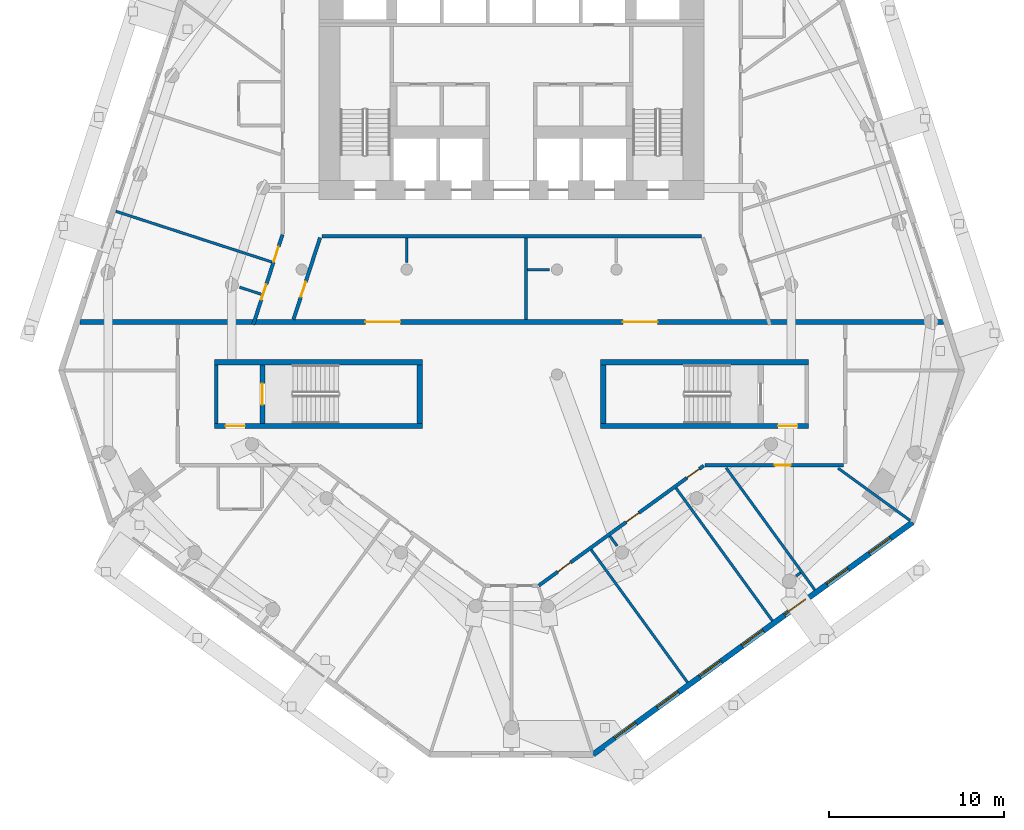
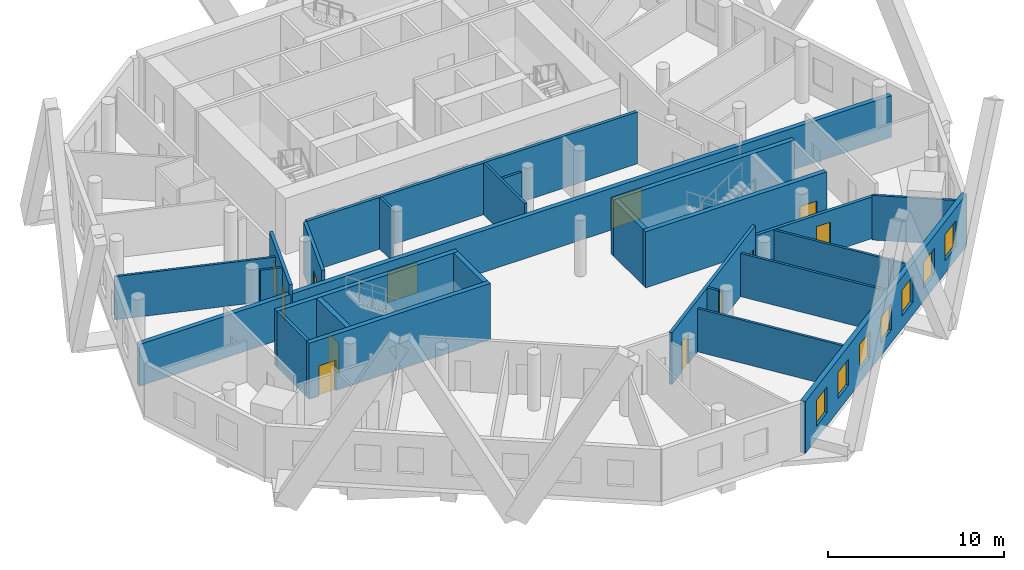
# One storey, part 5 of 11: 26 walls, 12 doors, 7 windows, 19 openings.
"""IFC4 building model written with IfcOpenShell, lengths in metres."""

from ifc_helpers import new_model, si_unit, direction, frame, frame_2d, origin, place, context, subcontext, project, spatial, rectangle, extrude, material, layer, layer_set, type_object, element, fill, save


model = new_model("IFC4")

# Units and contexts
model_context = context("Model", 3, precision=1e-05, world=origin(), true_north=direction((0.0, 1.0)))
body_context = subcontext(model_context, "Body", "Model", "MODEL_VIEW")
ifc_project = project(units=[si_unit("LENGTHUNIT", "METRE"), si_unit("AREAUNIT", "SQUARE_METRE"), si_unit("VOLUMEUNIT", "CUBIC_METRE"), si_unit("PLANEANGLEUNIT", "RADIAN"), si_unit("MASSUNIT", "GRAM", prefix="KILO")], contexts=[model_context])

# Site, building, storey
site_placement = place(None, origin())
site = spatial("IfcSite", under=ifc_project, at=site_placement, CompositionType="ELEMENT")
building_placement = place(site_placement, origin())
building = spatial("IfcBuilding", under=site, at=building_placement, Name="White Candle Pilgrim Tower", CompositionType="ELEMENT")
storey_placement = place(building_placement, frame((0.0, 0.0, 90.800048828125)))
storey = spatial("IfcBuildingStorey", under=building, at=storey_placement, Name="L19", CompositionType="ELEMENT", Elevation=90.800048828125)

# Wall
ifc_material_1 = material(Name="Concrete C60/75", Category="concrete")
ifc_layer_1 = layer(ifc_material_1, 0.199951171875)
ifc_layer_set_1 = layer_set([ifc_layer_1], Name="Core wall 200 mm Concrete C60/75")
wall_type_1 = type_object("IfcWallType", Name="Core wall 200 mm Concrete C60/75", PredefinedType="SHEAR", material=ifc_layer_set_1)
wall_1_placement = place(storey_placement, frame((53.10009765625, 58.199951171875, 0.0), z_axis=(0.0, 0.0, 1.0), x_axis=(0.0, 1.0, 0.0)))
element("IfcWall", 1, at=wall_1_placement, inside=storey, type_object=wall_type_1, Name="WL-L19-C03", PredefinedType="SHEAR", context=body_context, shape_type="SweptSolid", body=[
    extrude(rectangle(XDim=3.35009765625, YDim=0.199951171875, at=frame_2d((1.675048828125, 0.0))), origin(), (0.0, 0.0, 1.0), 3.89990234375),
])

# Wall, openings, doors
ifc_material_2 = material(Name="Gypsum board on steel studs", Category="steel")
ifc_layer_2 = layer(ifc_material_2, 0.199951171875)
ifc_layer_set_2 = layer_set([ifc_layer_2], Name="Corridor wall 200 mm EI 45")
wall_type_2 = type_object("IfcWallType", Name="Corridor wall 200 mm EI 45", PredefinedType="PARTITIONING", material=ifc_layer_set_2)
wall_2_placement = place(storey_placement, frame((55.224609375, 63.85009765625, 0.0), z_axis=(0.0, 0.0, 1.0), x_axis=(0.309037048815, 0.951049999979, 0.0)))
wall_2 = element("IfcWall", 2, at=wall_2_placement, inside=storey, type_object=wall_type_2, Name="WL-L19-P002", PredefinedType="PARTITIONING", context=body_context, shape_type="SweptSolid", body=[
    extrude(rectangle(XDim=5.4052734375, YDim=0.199951171875, at=frame_2d((2.70263671875, 0.0))), origin(), (0.0, 0.0, 1.0), 3.599853515625),
])
opening_1_placement = place(wall_2_placement, frame((1.508544921875, 0.0, 0.0)))
opening_1 = element("IfcOpeningElement", 3, at=opening_1_placement, cuts=wall_2, Name="Opening T06-119", PredefinedType="OPENING", context=body_context, shape_type="SweptSolid", body=[
    extrude(rectangle(XDim=0.89990234375, YDim=2.10009765625, at=frame_2d((0.449951171875, 1.050048828125))), frame((0.0, 0.10986328125, 0.0), z_axis=(0.0, -1.0, 0.0), x_axis=(1.0, 0.0, 0.0)), (0.0, 0.0, 1.0), 0.219970703125),
])
opening_2_placement = place(wall_2_placement, frame((3.78369140625, 0.0, 0.0)))
opening_2 = element("IfcOpeningElement", 4, at=opening_2_placement, cuts=wall_2, Name="Opening T06-120", PredefinedType="OPENING", context=body_context, shape_type="SweptSolid", body=[
    extrude(rectangle(XDim=0.89990234375, YDim=2.10009765625, at=frame_2d((0.449951171875, 1.050048828125))), frame((0.0, 0.10986328125, 0.0), z_axis=(0.0, -1.0, 0.0), x_axis=(1.0, 0.0, 0.0)), (0.0, 0.0, 1.0), 0.219970703125),
])
ifc_material_3 = material(Name="Steel door leaf", Category="steel")
door_type_1 = type_object("IfcDoorType", Name="Fire door 900 x 2100 EI 30", OperationType="NOTDEFINED", PredefinedType="DOOR", material=ifc_material_3)
door_1_placement = place(opening_1_placement, origin())
door_1 = element("IfcDoor", 5, at=door_1_placement, inside=storey, type_object=door_type_1, Name="Door T06-119", OperationType="SINGLE_SWING_LEFT", OverallHeight=2.10009765625, OverallWidth=0.89990234375, PredefinedType="DOOR", context=body_context, shape_type="SweptSolid", body=[
    extrude(rectangle(XDim=0.89990234375, YDim=2.10009765625, at=frame_2d((0.449951171875, 1.050048828125))), frame((0.0, 0.02490234375, 0.0), z_axis=(0.0, -1.0, 0.0), x_axis=(1.0, 0.0, 0.0)), (0.0, 0.0, 1.0), 0.050048828125),
])
fill(opening_1, door_1)
door_2_placement = place(opening_2_placement, frame((0.89990234375, 0.0, 0.0), z_axis=(0.0, 0.0, 1.0), x_axis=(-1.0, 0.0, 0.0)))
door_2 = element("IfcDoor", 6, at=door_2_placement, inside=storey, type_object=door_type_1, Name="Door T06-120", OperationType="SINGLE_SWING_LEFT", OverallHeight=2.10009765625, OverallWidth=0.89990234375, PredefinedType="DOOR", context=body_context, shape_type="SweptSolid", body=[
    extrude(rectangle(XDim=0.89990234375, YDim=2.10009765625, at=frame_2d((0.449951171875, 1.050048828125))), frame((0.0, 0.02490234375, 0.0), z_axis=(0.0, -1.0, 0.0), x_axis=(1.0, 0.0, 0.0)), (0.0, 0.0, 1.0), 0.050048828125),
])
fill(opening_2, door_2)

# Wall, opening, door
wall_3_placement = place(storey_placement, frame((89.0, 55.800048828125, 0.0), z_axis=(0.0, 0.0, 1.0), x_axis=(-1.0, 0.0, 0.0)))
wall_3 = element("IfcWall", 7, at=wall_3_placement, inside=storey, type_object=wall_type_2, Name="WL-L19-P007", PredefinedType="PARTITIONING", context=body_context, shape_type="SweptSolid", body=[
    extrude(rectangle(XDim=7.946044921875, YDim=0.199951171875, at=frame_2d((3.97314453125, 0.0))), origin(), (0.0, 0.0, 1.0), 2.89990234375),
])
opening_3_placement = place(wall_3_placement, frame((3.034423828125, 0.0, 0.0)))
opening_3 = element("IfcOpeningElement", 8, at=opening_3_placement, cuts=wall_3, Name="Opening T06-113", PredefinedType="OPENING", context=body_context, shape_type="SweptSolid", body=[
    extrude(rectangle(XDim=0.89990234375, YDim=2.10009765625, at=frame_2d((0.449951171875, 1.050048828125))), frame((0.0, 0.10986328125, 0.0), z_axis=(0.0, -1.0, 0.0), x_axis=(1.0, 0.0, 0.0)), (0.0, 0.0, 1.0), 0.219970703125),
])
door_3_placement = place(opening_3_placement, origin())
door_3 = element("IfcDoor", 9, at=door_3_placement, inside=storey, type_object=door_type_1, Name="Door T06-113", OperationType="SINGLE_SWING_LEFT", OverallHeight=2.10009765625, OverallWidth=0.89990234375, PredefinedType="DOOR", context=body_context, shape_type="SweptSolid", body=[
    extrude(rectangle(XDim=0.89990234375, YDim=2.10009765625, at=frame_2d((0.449951171875, 1.050048828125))), frame((0.0, 0.02490234375, 0.0), z_axis=(0.0, -1.0, 0.0), x_axis=(1.0, 0.0, 0.0)), (0.0, 0.0, 1.0), 0.050048828125),
])
fill(opening_3, door_3)

# Wall, openings, doors
wall_4_placement = place(storey_placement, frame((80.9951171875, 55.781005859375, 0.0), z_axis=(0.0, 0.0, 1.0), x_axis=(-0.809008378027, -0.587797111495, 0.0)))
wall_4 = element("IfcWall", 10, at=wall_4_placement, inside=storey, type_object=wall_type_2, Name="WL-L19-P008", PredefinedType="PARTITIONING", context=body_context, shape_type="SweptSolid", body=[
    extrude(rectangle(XDim=11.666748046875, YDim=0.199951171875, at=frame_2d((5.83349609375, 0.0))), origin(), (0.0, 0.0, 1.0), 3.599853515625),
])
opening_4_placement = place(wall_4_placement, frame((9.41748046875, 0.0, 0.0)))
opening_4 = element("IfcOpeningElement", 11, at=opening_4_placement, cuts=wall_4, Name="Opening T06-110", PredefinedType="OPENING", context=body_context, shape_type="SweptSolid", body=[
    extrude(rectangle(XDim=0.89990234375, YDim=2.10009765625, at=frame_2d((0.449951171875, 1.050048828125))), frame((0.0, 0.10986328125, 0.0), z_axis=(0.0, -1.0, 0.0), x_axis=(1.0, 0.0, 0.0)), (0.0, 0.0, 1.0), 0.219970703125),
])
opening_5_placement = place(wall_4_placement, frame((4.58544921875, 0.0, 0.0)))
opening_5 = element("IfcOpeningElement", 12, at=opening_5_placement, cuts=wall_4, Name="Opening T06-111", PredefinedType="OPENING", context=body_context, shape_type="SweptSolid", body=[
    extrude(rectangle(XDim=0.89990234375, YDim=2.10009765625, at=frame_2d((0.449951171875, 1.050048828125))), frame((0.0, 0.10986328125, 0.0), z_axis=(0.0, -1.0, 0.0), x_axis=(1.0, 0.0, 0.0)), (0.0, 0.0, 1.0), 0.219970703125),
])
opening_6_placement = place(wall_4_placement, frame((0.301513671875, 0.0, 0.0)))
opening_6 = element("IfcOpeningElement", 13, at=opening_6_placement, cuts=wall_4, Name="Opening T06-112", PredefinedType="OPENING", context=body_context, shape_type="SweptSolid", body=[
    extrude(rectangle(XDim=0.89990234375, YDim=2.10009765625, at=frame_2d((0.449951171875, 1.050048828125))), frame((0.0, 0.10986328125, 0.0), z_axis=(0.0, -1.0, 0.0), x_axis=(1.0, 0.0, 0.0)), (0.0, 0.0, 1.0), 0.219970703125),
])
door_4_placement = place(opening_4_placement, origin())
door_4 = element("IfcDoor", 14, at=door_4_placement, inside=storey, type_object=door_type_1, Name="Door T06-110", OperationType="SINGLE_SWING_RIGHT", OverallHeight=2.10009765625, OverallWidth=0.89990234375, PredefinedType="DOOR", context=body_context, shape_type="SweptSolid", body=[
    extrude(rectangle(XDim=0.89990234375, YDim=2.10009765625, at=frame_2d((0.449951171875, 1.050048828125))), frame((0.0, 0.02490234375, 0.0), z_axis=(0.0, -1.0, 0.0), x_axis=(1.0, 0.0, 0.0)), (0.0, 0.0, 1.0), 0.050048828125),
])
fill(opening_4, door_4)
door_5_placement = place(opening_5_placement, origin())
door_5 = element("IfcDoor", 15, at=door_5_placement, inside=storey, type_object=door_type_1, Name="Door T06-111", OperationType="SINGLE_SWING_LEFT", OverallHeight=2.10009765625, OverallWidth=0.89990234375, PredefinedType="DOOR", context=body_context, shape_type="SweptSolid", body=[
    extrude(rectangle(XDim=0.89990234375, YDim=2.10009765625, at=frame_2d((0.449951171875, 1.050048828125))), frame((0.0, 0.02490234375, 0.0), z_axis=(0.0, -1.0, 0.0), x_axis=(1.0, 0.0, 0.0)), (0.0, 0.0, 1.0), 0.050048828125),
])
fill(opening_5, door_5)
door_6_placement = place(opening_6_placement, origin())
door_6 = element("IfcDoor", 16, at=door_6_placement, inside=storey, type_object=door_type_1, Name="Door T06-112", OperationType="SINGLE_SWING_LEFT", OverallHeight=2.10009765625, OverallWidth=0.89990234375, PredefinedType="DOOR", context=body_context, shape_type="SweptSolid", body=[
    extrude(rectangle(XDim=0.89990234375, YDim=2.10009765625, at=frame_2d((0.449951171875, 1.050048828125))), frame((0.0, 0.02490234375, 0.0), z_axis=(0.0, -1.0, 0.0), x_axis=(1.0, 0.0, 0.0)), (0.0, 0.0, 1.0), 0.050048828125),
])
fill(opening_6, door_6)

# Wall
wall_5_placement = place(storey_placement, frame((80.853759765625, 68.89990234375, 0.0), z_axis=(0.0, 0.0, 1.0), x_axis=(-1.0, 0.0, 0.0)))
element("IfcWall", 17, at=wall_5_placement, inside=storey, type_object=wall_type_2, Name="WL-L19-P013", PredefinedType="PARTITIONING", context=body_context, shape_type="SweptSolid", body=[
    extrude(rectangle(XDim=21.70751953125, YDim=0.199951171875, at=frame_2d((10.853759765625, 0.0))), origin(), (0.0, 0.0, 1.0), 3.599853515625),
])

# Wall, opening, door
wall_6_placement = place(storey_placement, frame((59.05126953125, 68.830810546875, 0.0), z_axis=(0.0, 0.0, 1.0), x_axis=(-0.309031112369, -0.951051928965, 0.0)))
wall_6 = element("IfcWall", 18, at=wall_6_placement, inside=storey, type_object=wall_type_2, Name="WL-L19-P014", PredefinedType="PARTITIONING", context=body_context, shape_type="SweptSolid", body=[
    extrude(rectangle(XDim=4.921875, YDim=0.199951171875, at=frame_2d((2.4609375, 0.0))), origin(), (0.0, 0.0, 1.0), 3.599853515625),
])
opening_7_placement = place(wall_6_placement, frame((2.665283203125, 0.0, 0.0)))
opening_7 = element("IfcOpeningElement", 19, at=opening_7_placement, cuts=wall_6, Name="Opening T06-129", PredefinedType="OPENING", context=body_context, shape_type="SweptSolid", body=[
    extrude(rectangle(XDim=0.89990234375, YDim=2.10009765625, at=frame_2d((0.449951171875, 1.050048828125))), frame((0.0, 0.10986328125, 0.0), z_axis=(0.0, -1.0, 0.0), x_axis=(1.0, 0.0, 0.0)), (0.0, 0.0, 1.0), 0.219970703125),
])
door_7_placement = place(opening_7_placement, origin())
door_7 = element("IfcDoor", 20, at=door_7_placement, inside=storey, type_object=door_type_1, Name="Door T06-129", OperationType="SINGLE_SWING_LEFT", OverallHeight=2.10009765625, OverallWidth=0.89990234375, PredefinedType="DOOR", context=body_context, shape_type="SweptSolid", body=[
    extrude(rectangle(XDim=0.89990234375, YDim=2.10009765625, at=frame_2d((0.449951171875, 1.050048828125))), frame((0.0, 0.02490234375, 0.0), z_axis=(0.0, -1.0, 0.0), x_axis=(1.0, 0.0, 0.0)), (0.0, 0.0, 1.0), 0.050048828125),
])
fill(opening_7, door_7)

# Wall, openings, windows
ifc_material_4 = material(Name="Precast concrete C40/50", Category="concrete")
ifc_layer_3 = layer(ifc_material_4, 0.320068359375)
ifc_layer_set_3 = layer_set([ifc_layer_3], Name="Facade wall EW1 precast concrete C40/50 pier wall with timber-lined reveals")
wall_type_3 = type_object("IfcWallType", Name="Facade wall EW1 precast concrete C40/50 pier wall with timber-lined reveals", PredefinedType="SOLIDWALL", material=ifc_layer_set_3)
wall_7_placement = place(storey_placement, frame((74.66259765625, 39.26416015625, 0.0), z_axis=(0.0, 0.0, 1.0), x_axis=(0.809012643171, 0.587791241165, 0.0)))
wall_7 = element("IfcWall", 21, at=wall_7_placement, inside=storey, type_object=wall_type_3, Name="Facade wall L19 SE", PredefinedType="SOLIDWALL", context=body_context, shape_type="SweptSolid", body=[
    extrude(rectangle(XDim=22.591796875, YDim=0.320068359375, at=frame_2d((11.2958984375, 0.0))), origin(), (0.0, 0.0, 1.0), 3.599853515625),
])
opening_8_placement = place(wall_7_placement, frame((1.5458984375, 0.0, 0.89990234375)))
opening_8 = element("IfcOpeningElement", 22, at=opening_8_placement, cuts=wall_7, Name="Opening W1", PredefinedType="OPENING", context=body_context, shape_type="SweptSolid", body=[
    extrude(rectangle(XDim=1.5, YDim=1.800048828125, at=frame_2d((0.75, 0.89990234375))), frame((0.0, 0.169921875, 0.0), z_axis=(0.0, -1.0, 0.0), x_axis=(1.0, 0.0, 0.0)), (0.0, 0.0, 1.0), 0.340087890625),
])
opening_9_placement = place(wall_7_placement, frame((4.5458984375, 0.0, 0.89990234375)))
opening_9 = element("IfcOpeningElement", 23, at=opening_9_placement, cuts=wall_7, Name="Opening W1", PredefinedType="OPENING", context=body_context, shape_type="SweptSolid", body=[
    extrude(rectangle(XDim=1.5, YDim=1.800048828125, at=frame_2d((0.75, 0.89990234375))), frame((0.0, 0.169921875, 0.0), z_axis=(0.0, -1.0, 0.0), x_axis=(1.0, 0.0, 0.0)), (0.0, 0.0, 1.0), 0.340087890625),
])
opening_10_placement = place(wall_7_placement, frame((7.5458984375, 0.0, 0.89990234375)))
opening_10 = element("IfcOpeningElement", 24, at=opening_10_placement, cuts=wall_7, Name="Opening W1", PredefinedType="OPENING", context=body_context, shape_type="SweptSolid", body=[
    extrude(rectangle(XDim=1.5, YDim=1.800048828125, at=frame_2d((0.75, 0.89990234375))), frame((0.0, 0.169921875, 0.0), z_axis=(0.0, -1.0, 0.0), x_axis=(1.0, 0.0, 0.0)), (0.0, 0.0, 1.0), 0.340087890625),
])
opening_11_placement = place(wall_7_placement, frame((10.5458984375, 0.0, 0.89990234375)))
opening_11 = element("IfcOpeningElement", 25, at=opening_11_placement, cuts=wall_7, Name="Opening W1", PredefinedType="OPENING", context=body_context, shape_type="SweptSolid", body=[
    extrude(rectangle(XDim=1.5, YDim=1.800048828125, at=frame_2d((0.75, 0.89990234375))), frame((0.0, 0.169921875, 0.0), z_axis=(0.0, -1.0, 0.0), x_axis=(1.0, 0.0, 0.0)), (0.0, 0.0, 1.0), 0.340087890625),
])
opening_12_placement = place(wall_7_placement, frame((13.5458984375, 0.0, 0.89990234375)))
opening_12 = element("IfcOpeningElement", 26, at=opening_12_placement, cuts=wall_7, Name="Opening W1", PredefinedType="OPENING", context=body_context, shape_type="SweptSolid", body=[
    extrude(rectangle(XDim=1.5, YDim=1.800048828125, at=frame_2d((0.75, 0.89990234375))), frame((0.0, 0.169921875, 0.0), z_axis=(0.0, -1.0, 0.0), x_axis=(1.0, 0.0, 0.0)), (0.0, 0.0, 1.0), 0.340087890625),
])
opening_13_placement = place(wall_7_placement, frame((16.5458984375, 0.0, 0.89990234375)))
opening_13 = element("IfcOpeningElement", 27, at=opening_13_placement, cuts=wall_7, Name="Opening W1", PredefinedType="OPENING", context=body_context, shape_type="SweptSolid", body=[
    extrude(rectangle(XDim=1.5, YDim=1.800048828125, at=frame_2d((0.75, 0.89990234375))), frame((0.0, 0.169921875, 0.0), z_axis=(0.0, -1.0, 0.0), x_axis=(1.0, 0.0, 0.0)), (0.0, 0.0, 1.0), 0.340087890625),
])
opening_14_placement = place(wall_7_placement, frame((19.5458984375, 0.0, 0.89990234375)))
opening_14 = element("IfcOpeningElement", 28, at=opening_14_placement, cuts=wall_7, Name="Opening W1", PredefinedType="OPENING", context=body_context, shape_type="SweptSolid", body=[
    extrude(rectangle(XDim=1.5, YDim=1.800048828125, at=frame_2d((0.75, 0.89990234375))), frame((0.0, 0.169921875, 0.0), z_axis=(0.0, -1.0, 0.0), x_axis=(1.0, 0.0, 0.0)), (0.0, 0.0, 1.0), 0.340087890625),
])
ifc_material_5 = material(Name="Timber frame with triple glazing", Category="wood")
window_type = type_object("IfcWindowType", Name="Window W1 1500x1800 timber frame triple glazing", PartitioningType="SINGLE_PANEL", PredefinedType="WINDOW", material=ifc_material_5)
window_1_placement = place(opening_8_placement, origin())
window_1 = element("IfcWindow", 29, at=window_1_placement, inside=storey, type_object=window_type, Name="Window W1 L19 SE 1", OverallHeight=1.800048828125, OverallWidth=1.5, PartitioningType="SINGLE_PANEL", PredefinedType="WINDOW", context=body_context, shape_type="SweptSolid", body=[
    extrude(rectangle(XDim=1.5, YDim=1.800048828125, at=frame_2d((0.75, 0.89990234375))), frame((0.0, 0.070068359375, 0.0), z_axis=(0.0, -1.0, 0.0), x_axis=(1.0, 0.0, 0.0)), (0.0, 0.0, 1.0), 0.06005859375),
])
fill(opening_8, window_1)
window_2_placement = place(opening_9_placement, origin())
window_2 = element("IfcWindow", 30, at=window_2_placement, inside=storey, type_object=window_type, Name="Window W1 L19 SE 2", OverallHeight=1.800048828125, OverallWidth=1.5, PartitioningType="SINGLE_PANEL", PredefinedType="WINDOW", context=body_context, shape_type="SweptSolid", body=[
    extrude(rectangle(XDim=1.5, YDim=1.800048828125, at=frame_2d((0.75, 0.89990234375))), frame((0.0, 0.070068359375, 0.0), z_axis=(0.0, -1.0, 0.0), x_axis=(1.0, 0.0, 0.0)), (0.0, 0.0, 1.0), 0.06005859375),
])
fill(opening_9, window_2)
window_3_placement = place(opening_10_placement, origin())
window_3 = element("IfcWindow", 31, at=window_3_placement, inside=storey, type_object=window_type, Name="Window W1 L19 SE 3", OverallHeight=1.800048828125, OverallWidth=1.5, PartitioningType="SINGLE_PANEL", PredefinedType="WINDOW", context=body_context, shape_type="SweptSolid", body=[
    extrude(rectangle(XDim=1.5, YDim=1.800048828125, at=frame_2d((0.75, 0.89990234375))), frame((0.0, 0.070068359375, 0.0), z_axis=(0.0, -1.0, 0.0), x_axis=(1.0, 0.0, 0.0)), (0.0, 0.0, 1.0), 0.06005859375),
])
fill(opening_10, window_3)
window_4_placement = place(opening_11_placement, origin())
window_4 = element("IfcWindow", 32, at=window_4_placement, inside=storey, type_object=window_type, Name="Window W1 L19 SE 4", OverallHeight=1.800048828125, OverallWidth=1.5, PartitioningType="SINGLE_PANEL", PredefinedType="WINDOW", context=body_context, shape_type="SweptSolid", body=[
    extrude(rectangle(XDim=1.5, YDim=1.800048828125, at=frame_2d((0.75, 0.89990234375))), frame((0.0, 0.070068359375, 0.0), z_axis=(0.0, -1.0, 0.0), x_axis=(1.0, 0.0, 0.0)), (0.0, 0.0, 1.0), 0.06005859375),
])
fill(opening_11, window_4)
window_5_placement = place(opening_12_placement, origin())
window_5 = element("IfcWindow", 33, at=window_5_placement, inside=storey, type_object=window_type, Name="Window W1 L19 SE 5", OverallHeight=1.800048828125, OverallWidth=1.5, PartitioningType="SINGLE_PANEL", PredefinedType="WINDOW", context=body_context, shape_type="SweptSolid", body=[
    extrude(rectangle(XDim=1.5, YDim=1.800048828125, at=frame_2d((0.75, 0.89990234375))), frame((0.0, 0.070068359375, 0.0), z_axis=(0.0, -1.0, 0.0), x_axis=(1.0, 0.0, 0.0)), (0.0, 0.0, 1.0), 0.06005859375),
])
fill(opening_12, window_5)
window_6_placement = place(opening_13_placement, origin())
window_6 = element("IfcWindow", 34, at=window_6_placement, inside=storey, type_object=window_type, Name="Window W1 L19 SE 6", OverallHeight=1.800048828125, OverallWidth=1.5, PartitioningType="SINGLE_PANEL", PredefinedType="WINDOW", context=body_context, shape_type="SweptSolid", body=[
    extrude(rectangle(XDim=1.5, YDim=1.800048828125, at=frame_2d((0.75, 0.89990234375))), frame((0.0, 0.070068359375, 0.0), z_axis=(0.0, -1.0, 0.0), x_axis=(1.0, 0.0, 0.0)), (0.0, 0.0, 1.0), 0.06005859375),
])
fill(opening_13, window_6)
window_7_placement = place(opening_14_placement, origin())
window_7 = element("IfcWindow", 35, at=window_7_placement, inside=storey, type_object=window_type, Name="Window W1 L19 SE 7", OverallHeight=1.800048828125, OverallWidth=1.5, PartitioningType="SINGLE_PANEL", PredefinedType="WINDOW", context=body_context, shape_type="SweptSolid", body=[
    extrude(rectangle(XDim=1.5, YDim=1.800048828125, at=frame_2d((0.75, 0.89990234375))), frame((0.0, 0.070068359375, 0.0), z_axis=(0.0, -1.0, 0.0), x_axis=(1.0, 0.0, 0.0)), (0.0, 0.0, 1.0), 0.06005859375),
])
fill(opening_14, window_7)

# Wall, openings, doors
ifc_material_6 = material(Name="Aerated concrete block", Category="concrete")
ifc_layer_4 = layer(ifc_material_6, 0.300048828125)
ifc_layer_set_4 = layer_set([ifc_layer_4], Name="Fire wall 300 mm REI 240")
wall_type_4 = type_object("IfcWallType", Name="Fire wall 300 mm REI 240", PredefinedType="PARTITIONING", material=ifc_layer_set_4)
wall_8_placement = place(storey_placement, frame((45.3056640625, 64.0, 0.0), z_axis=(0.0, 0.0, 1.0), x_axis=(1.0, 0.0, 0.0)))
wall_8 = element("IfcWall", 36, at=wall_8_placement, inside=storey, type_object=wall_type_4, Name="WL-L19-P001", PredefinedType="PARTITIONING", context=body_context, shape_type="SweptSolid", body=[
    extrude(rectangle(XDim=49.388671875, YDim=0.300048828125, at=frame_2d((24.6943359375, 0.0))), origin(), (0.0, 0.0, 1.0), 2.89990234375),
])
opening_15_placement = place(wall_8_placement, frame((16.3310546875, 0.0, 0.0)))
opening_15 = element("IfcOpeningElement", 37, at=opening_15_placement, cuts=wall_8, Name="Opening T06-116", PredefinedType="OPENING", context=body_context, shape_type="SweptSolid", body=[
    extrude(rectangle(XDim=2.0, YDim=2.10009765625, at=frame_2d((1.0, 1.050048828125))), frame((0.0, 0.159912109375, 0.0), z_axis=(0.0, -1.0, 0.0), x_axis=(1.0, 0.0, 0.0)), (0.0, 0.0, 1.0), 0.320068359375),
])
opening_16_placement = place(wall_8_placement, frame((31.0576171875, 0.0, 0.0)))
opening_16 = element("IfcOpeningElement", 38, at=opening_16_placement, cuts=wall_8, Name="Opening T06-117", PredefinedType="OPENING", context=body_context, shape_type="SweptSolid", body=[
    extrude(rectangle(XDim=2.0, YDim=2.10009765625, at=frame_2d((1.0, 1.050048828125))), frame((0.0, 0.159912109375, 0.0), z_axis=(0.0, -1.0, 0.0), x_axis=(1.0, 0.0, 0.0)), (0.0, 0.0, 1.0), 0.320068359375),
])
door_type_2 = type_object("IfcDoorType", Name="Fire door 2000 x 2100 EI 60", OperationType="NOTDEFINED", PredefinedType="DOOR", material=ifc_material_3)
door_8_placement = place(opening_15_placement, origin())
door_8 = element("IfcDoor", 39, at=door_8_placement, inside=storey, type_object=door_type_2, Name="Door T06-116", OperationType="DOUBLE_DOOR_SINGLE_SWING", OverallHeight=2.10009765625, OverallWidth=2.0, PredefinedType="DOOR", context=body_context, shape_type="SweptSolid", body=[
    extrude(rectangle(XDim=2.0, YDim=2.10009765625, at=frame_2d((1.0, 1.050048828125))), frame((0.0, 0.02490234375, 0.0), z_axis=(0.0, -1.0, 0.0), x_axis=(1.0, 0.0, 0.0)), (0.0, 0.0, 1.0), 0.050048828125),
])
fill(opening_15, door_8)
door_9_placement = place(opening_16_placement, origin())
door_9 = element("IfcDoor", 40, at=door_9_placement, inside=storey, type_object=door_type_2, Name="Door T06-117", OperationType="DOUBLE_DOOR_SINGLE_SWING", OverallHeight=2.10009765625, OverallWidth=2.0, PredefinedType="DOOR", context=body_context, shape_type="SweptSolid", body=[
    extrude(rectangle(XDim=2.0, YDim=2.10009765625, at=frame_2d((1.0, 1.050048828125))), frame((0.0, 0.02490234375, 0.0), z_axis=(0.0, -1.0, 0.0), x_axis=(1.0, 0.0, 0.0)), (0.0, 0.0, 1.0), 0.050048828125),
])
fill(opening_16, door_9)

# Walls
ifc_layer_5 = layer(ifc_material_2, 0.14990234375)
ifc_layer_set_5 = layer_set([ifc_layer_5], Name="Partition 150 mm EI 60")
wall_type_5 = type_object("IfcWallType", Name="Partition 150 mm EI 60", PredefinedType="PARTITIONING", material=ifc_layer_set_5)
wall_9_placement = place(storey_placement, frame((92.8037109375, 52.642333984375, 0.0), z_axis=(0.0, 0.0, 1.0), x_axis=(-0.809009310944, 0.587795827483, 0.0)))
element("IfcWall", 41, at=wall_9_placement, inside=storey, type_object=wall_type_5, Name="WL-L19-P021", PredefinedType="PARTITIONING", context=body_context, shape_type="SweptSolid", body=[
    extrude(rectangle(XDim=5.098876953125, YDim=0.14990234375, at=frame_2d((2.54931640625, 0.0))), origin(), (0.0, 0.0, 1.0), 3.099853515625),
])
wall_10_placement = place(storey_placement, frame((47.363525390625, 70.333740234375, 0.0), z_axis=(0.0, 0.0, 1.0), x_axis=(0.951060843481, -0.309003676349, 0.0)))
element("IfcWall", 42, at=wall_10_placement, inside=storey, type_object=wall_type_5, Name="WL-L19-P025", PredefinedType="PARTITIONING", context=body_context, shape_type="SweptSolid", body=[
    extrude(rectangle(XDim=9.3798828125, YDim=0.14990234375, at=frame_2d((4.68994140625, 0.0))), origin(), (0.0, 0.0, 1.0), 3.0),
])
for number, where, z_axis, x_axis, name in (
    (43, (80.066650390625, 43.38818359375, 0.0), (0.0, 0.0, 1.0), (-0.587800219247, 0.809006120034, 0.0), "WL-L19-P036"),
    (44, (84.920654296875, 46.9150390625, 0.0), (0.0, 0.0, 1.0), (-0.587783184234, 0.809018496903, 0.0), "WL-L19-P037"),
):
    element("IfcWall", number, at=place(storey_placement, frame(where, z_axis=z_axis, x_axis=x_axis)), inside=storey, type_object=wall_type_5, Name=name, PredefinedType="PARTITIONING", context=body_context, shape_type="SweptSolid", body=[
        extrude(rectangle(XDim=9.380126953125, YDim=0.14990234375, at=frame_2d((4.68994140625, 0.0))), origin(), (0.0, 0.0, 1.0), 3.0),
    ])
wall_11_placement = place(storey_placement, frame((87.34765625, 48.678466796875, 0.0), z_axis=(0.0, 0.0, 1.0), x_axis=(-0.587774405354, 0.809024875026, 0.0)))
element("IfcWall", 45, at=wall_11_placement, inside=storey, type_object=wall_type_5, Name="WL-L19-P038", PredefinedType="PARTITIONING", context=body_context, shape_type="SweptSolid", body=[
    extrude(rectangle(XDim=8.62451171875, YDim=0.14990234375, at=frame_2d((4.312255859375, 0.0))), origin(), (0.0, 0.0, 1.0), 2.89990234375),
])
wall_12_placement = place(storey_placement, frame((70.827880859375, 64.14990234375, 0.0), z_axis=(0.0, 0.0, 1.0), x_axis=(0.0, 1.0, 0.0)))
element("IfcWall", 46, at=wall_12_placement, inside=storey, type_object=wall_type_5, Name="WL-L19-P045", PredefinedType="PARTITIONING", context=body_context, shape_type="SweptSolid", body=[
    extrude(rectangle(XDim=4.650146484375, YDim=0.14990234375, at=frame_2d((2.3251953125, 0.0))), origin(), (0.0, 0.0, 1.0), 3.599853515625),
])
wall_13_placement = place(storey_placement, frame((86.280517578125, 49.47607421875, 0.0), z_axis=(0.0, 0.0, 1.0), x_axis=(0.809165407994, 0.587580924219, 0.0)))
element("IfcWall", 47, at=wall_13_placement, inside=storey, type_object=wall_type_5, Name="WL-L19-P049", PredefinedType="PARTITIONING", context=body_context, shape_type="SweptSolid", body=[
    extrude(rectangle(XDim=0.319580078125, YDim=0.14990234375, at=frame_2d((0.15966796875, 0.0))), origin(), (0.0, 0.0, 1.0), 3.099853515625),
])
wall_14_placement = place(storey_placement, frame((76.039306640625, 51.190673828125, 0.0), z_axis=(0.0, 0.0, 1.0), x_axis=(-0.587943727081, 0.808901831983, 0.0)))
element("IfcWall", 48, at=wall_14_placement, inside=storey, type_object=wall_type_5, Name="WL-L19-P053", PredefinedType="PARTITIONING", context=body_context, shape_type="SweptSolid", body=[
    extrude(rectangle(XDim=0.700439453125, YDim=0.14990234375, at=frame_2d((0.35009765625, 0.0))), origin(), (0.0, 0.0, 1.0), 3.599853515625),
])
wall_15_placement = place(storey_placement, frame((54.441162109375, 65.992919921875, 0.0), z_axis=(0.0, 0.0, 1.0), x_axis=(0.951046418515, -0.309048070419, 0.0)))
element("IfcWall", 49, at=wall_15_placement, inside=storey, type_object=wall_type_5, Name="WL-L19-P057", PredefinedType="PARTITIONING", context=body_context, shape_type="SweptSolid", body=[
    extrude(rectangle(XDim=1.307373046875, YDim=0.14990234375, at=frame_2d((0.65380859375, 0.0))), origin(), (0.0, 0.0, 1.0), 3.599853515625),
])
wall_16_placement = place(storey_placement, frame((63.997802734375, 67.4150390625, 0.0), z_axis=(0.0, 0.0, 1.0), x_axis=(0.0, 1.0, 0.0)))
element("IfcWall", 50, at=wall_16_placement, inside=storey, type_object=wall_type_5, Name="WL-L19-P058", PredefinedType="PARTITIONING", context=body_context, shape_type="SweptSolid", body=[
    extrude(rectangle(XDim=1.385009765625, YDim=0.14990234375, at=frame_2d((0.6923828125, 0.0))), origin(), (0.0, 0.0, 1.0), 3.599853515625),
])
wall_17_placement = place(storey_placement, frame((72.18505859375, 66.997802734375, 0.0), z_axis=(0.0, 0.0, 1.0), x_axis=(-1.0, 0.0, 0.0)))
element("IfcWall", 51, at=wall_17_placement, inside=storey, type_object=wall_type_5, Name="WL-L19-P059", PredefinedType="PARTITIONING", context=body_context, shape_type="SweptSolid", body=[
    extrude(rectangle(XDim=1.2822265625, YDim=0.14990234375, at=frame_2d((0.64111328125, 0.0))), origin(), (0.0, 0.0, 1.0), 3.599853515625),
])

# Wall, opening, door
ifc_layer_6 = layer(ifc_material_1, 0.300048828125)
ifc_layer_set_6 = layer_set([ifc_layer_6], Name="Stair shaft wall 300 mm Concrete C60/75")
wall_type_6 = type_object("IfcWallType", Name="Stair shaft wall 300 mm Concrete C60/75", PredefinedType="SHEAR", material=ifc_layer_set_6)
wall_18_placement = place(storey_placement, frame((53.0, 58.050048828125, 0.0), z_axis=(0.0, 0.0, 1.0), x_axis=(1.0, 0.0, 0.0)))
wall_18 = element("IfcWall", 52, at=wall_18_placement, inside=storey, type_object=wall_type_6, Name="WL-L19-C01", PredefinedType="SHEAR", context=body_context, shape_type="SweptSolid", body=[
    extrude(rectangle(XDim=11.89990234375, YDim=0.300048828125, at=frame_2d((5.949951171875, 0.0))), origin(), (0.0, 0.0, 1.0), 3.89990234375),
])
opening_17_placement = place(wall_18_placement, frame((0.64990234375, 0.0, 0.0)))
opening_17 = element("IfcOpeningElement", 53, at=opening_17_placement, cuts=wall_18, Name="Opening T06-007", PredefinedType="OPENING", context=body_context, shape_type="SweptSolid", body=[
    extrude(rectangle(XDim=1.10009765625, YDim=2.10009765625, at=frame_2d((0.550048828125, 1.050048828125))), frame((0.0, 0.159912109375, 0.0), z_axis=(0.0, -1.0, 0.0), x_axis=(1.0, 0.0, 0.0)), (0.0, 0.0, 1.0), 0.320068359375),
])
door_type_3 = type_object("IfcDoorType", Name="Fire door 1100 x 2100 EI 60", OperationType="NOTDEFINED", PredefinedType="DOOR", material=ifc_material_3)
door_10_placement = place(opening_17_placement, origin())
door_10 = element("IfcDoor", 54, at=door_10_placement, inside=storey, type_object=door_type_3, Name="Door T06-007", OperationType="SINGLE_SWING_LEFT", OverallHeight=2.10009765625, OverallWidth=1.10009765625, PredefinedType="DOOR", context=body_context, shape_type="SweptSolid", body=[
    extrude(rectangle(XDim=1.10009765625, YDim=2.10009765625, at=frame_2d((0.550048828125, 1.050048828125))), frame((0.0, 0.02490234375, 0.0), z_axis=(0.0, -1.0, 0.0), x_axis=(1.0, 0.0, 0.0)), (0.0, 0.0, 1.0), 0.050048828125),
])
fill(opening_17, door_10)

wall_19_placement = place(storey_placement, frame((75.10009765625, 58.050048828125, 0.0), z_axis=(0.0, 0.0, 1.0), x_axis=(1.0, 0.0, 0.0)))
wall_19 = element("IfcWall", 55, at=wall_19_placement, inside=storey, type_object=wall_type_6, Name="WL-L19-C02", PredefinedType="SHEAR", context=body_context, shape_type="SweptSolid", body=[
    extrude(rectangle(XDim=11.89990234375, YDim=0.300048828125, at=frame_2d((5.949951171875, 0.0))), origin(), (0.0, 0.0, 1.0), 3.89990234375),
])
opening_18_placement = place(wall_19_placement, frame((10.14990234375, 0.0, 0.0)))
opening_18 = element("IfcOpeningElement", 56, at=opening_18_placement, cuts=wall_19, Name="Opening T06-009", PredefinedType="OPENING", context=body_context, shape_type="SweptSolid", body=[
    extrude(rectangle(XDim=1.10009765625, YDim=2.10009765625, at=frame_2d((0.550048828125, 1.050048828125))), frame((0.0, 0.159912109375, 0.0), z_axis=(0.0, -1.0, 0.0), x_axis=(1.0, 0.0, 0.0)), (0.0, 0.0, 1.0), 0.320068359375),
])
door_11_placement = place(opening_18_placement, origin())
door_11 = element("IfcDoor", 57, at=door_11_placement, inside=storey, type_object=door_type_3, Name="Door T06-009", OperationType="SINGLE_SWING_LEFT", OverallHeight=2.10009765625, OverallWidth=1.10009765625, PredefinedType="DOOR", context=body_context, shape_type="SweptSolid", body=[
    extrude(rectangle(XDim=1.10009765625, YDim=2.10009765625, at=frame_2d((0.550048828125, 1.050048828125))), frame((0.0, 0.02490234375, 0.0), z_axis=(0.0, -1.0, 0.0), x_axis=(1.0, 0.0, 0.0)), (0.0, 0.0, 1.0), 0.050048828125),
])
fill(opening_18, door_11)

wall_20_placement = place(storey_placement, frame((55.75, 58.199951171875, 0.0), z_axis=(0.0, 0.0, 1.0), x_axis=(0.0, 1.0, 0.0)))
wall_20 = element("IfcWall", 58, at=wall_20_placement, inside=storey, type_object=wall_type_6, Name="WL-L19-C04", PredefinedType="SHEAR", context=body_context, shape_type="SweptSolid", body=[
    extrude(rectangle(XDim=3.35009765625, YDim=0.300048828125, at=frame_2d((1.675048828125, 0.0))), origin(), (0.0, 0.0, 1.0), 3.89990234375),
])
opening_19_placement = place(wall_20_placement, frame((1.074951171875, 0.0, 0.0)))
opening_19 = element("IfcOpeningElement", 59, at=opening_19_placement, cuts=wall_20, Name="Opening T06-008", PredefinedType="OPENING", context=body_context, shape_type="SweptSolid", body=[
    extrude(rectangle(XDim=1.199951171875, YDim=2.10009765625, at=frame_2d((0.60009765625, 1.050048828125))), frame((0.0, 0.159912109375, 0.0), z_axis=(0.0, -1.0, 0.0), x_axis=(1.0, 0.0, 0.0)), (0.0, 0.0, 1.0), 0.320068359375),
])
door_type_4 = type_object("IfcDoorType", Name="Fire door 1200 x 2100 EI 60", OperationType="NOTDEFINED", PredefinedType="DOOR", material=ifc_material_3)
door_12_placement = place(opening_19_placement, frame((1.199951171875, 0.0, 0.0), z_axis=(0.0, 0.0, 1.0), x_axis=(-1.0, 0.0, 0.0)))
door_12 = element("IfcDoor", 60, at=door_12_placement, inside=storey, type_object=door_type_4, Name="Door T06-008", OperationType="SINGLE_SWING_LEFT", OverallHeight=2.10009765625, OverallWidth=1.199951171875, PredefinedType="DOOR", context=body_context, shape_type="SweptSolid", body=[
    extrude(rectangle(XDim=1.199951171875, YDim=2.10009765625, at=frame_2d((0.60009765625, 1.050048828125))), frame((0.0, 0.02490234375, 0.0), z_axis=(0.0, -1.0, 0.0), x_axis=(1.0, 0.0, 0.0)), (0.0, 0.0, 1.0), 0.050048828125),
])
fill(opening_19, door_12)

# Walls
for number, where, z_axis, x_axis, name in (
    (61, (64.75, 58.199951171875, 0.0), (0.0, 0.0, 1.0), (0.0, 1.0, 0.0), "WL-L19-C05"),
    (62, (75.25, 58.199951171875, 0.0), (0.0, 0.0, 1.0), (0.0, 1.0, 0.0), "WL-L19-C06"),
):
    element("IfcWall", number, at=place(storey_placement, frame(where, z_axis=z_axis, x_axis=x_axis)), inside=storey, type_object=wall_type_6, Name=name, PredefinedType="SHEAR", context=body_context, shape_type="SweptSolid", body=[
        extrude(rectangle(XDim=3.35009765625, YDim=0.300048828125, at=frame_2d((1.675048828125, 0.0))), origin(), (0.0, 0.0, 1.0), 3.89990234375),
    ])
for number, where, z_axis, x_axis, name in (
    (63, (53.0, 61.699951171875, 0.0), (0.0, 0.0, 1.0), (1.0, 0.0, 0.0), "WL-L19-C09"),
    (64, (75.10009765625, 61.699951171875, 0.0), (0.0, 0.0, 1.0), (1.0, 0.0, 0.0), "WL-L19-C10"),
):
    element("IfcWall", number, at=place(storey_placement, frame(where, z_axis=z_axis, x_axis=x_axis)), inside=storey, type_object=wall_type_6, Name=name, PredefinedType="SHEAR", context=body_context, shape_type="SweptSolid", body=[
        extrude(rectangle(XDim=11.89990234375, YDim=0.300048828125, at=frame_2d((5.949951171875, 0.0))), origin(), (0.0, 0.0, 1.0), 3.89990234375),
    ])

save(model, "model.ifc")
